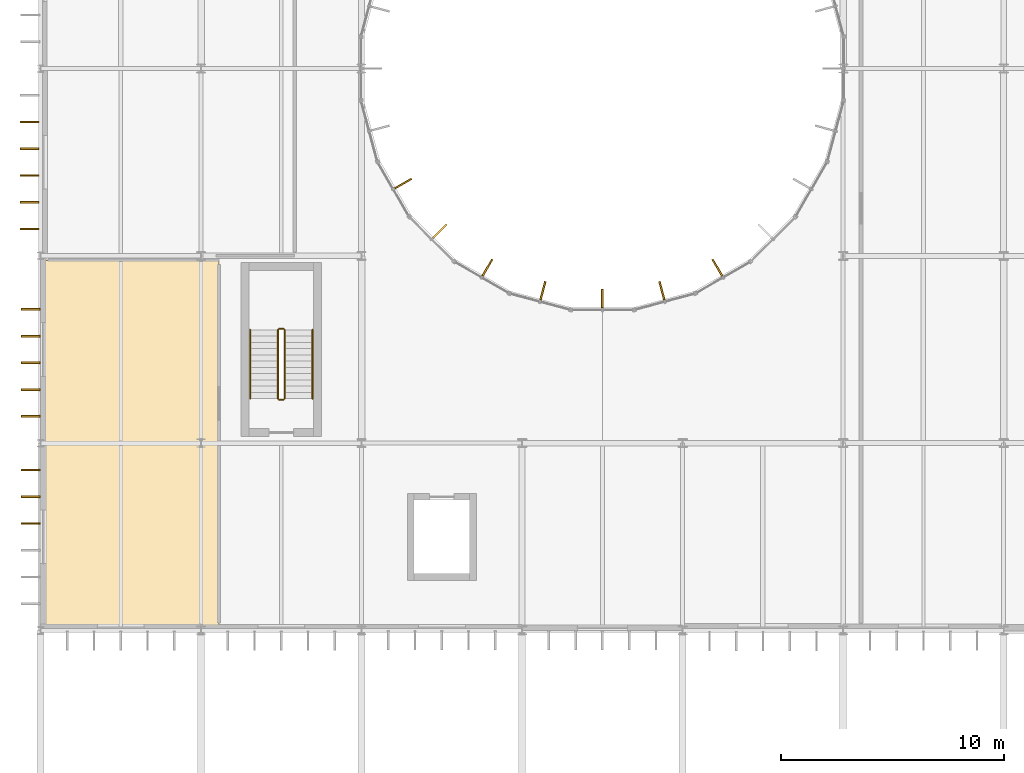
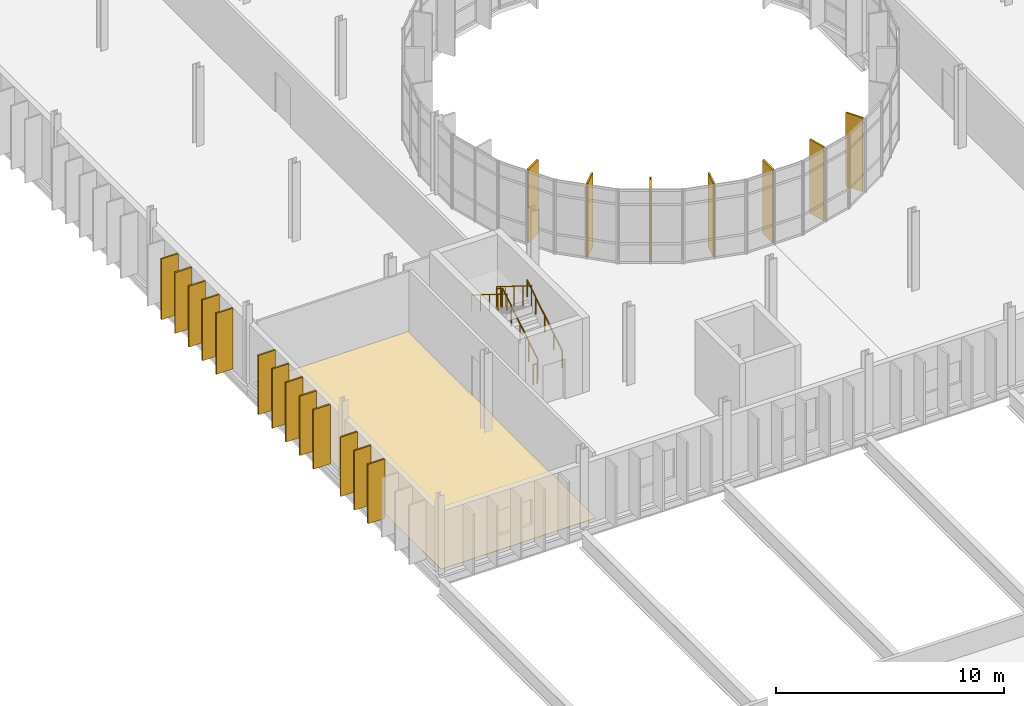
# One storey, part 109 of 119: 20 shading devices, 6 railings, 1 covering.
"""IFC4 building model written with IfcOpenShell, lengths in metres."""

from ifc_helpers import new_model, si_unit, direction, frame, origin, origin_2d, place, context, subcontext, project, spatial, polyline, rectangle, circle, outline, extrude, material, layer, layer_set, type_object, element, save


model = new_model("IFC4")

# Units and contexts
model_context = context("Model", 3, precision=1e-05, world=origin(), true_north=direction((0.0, 1.0)))
body_context = subcontext(model_context, "Body", "Model", "MODEL_VIEW")
ifc_project = project(units=[si_unit("LENGTHUNIT", "METRE"), si_unit("AREAUNIT", "SQUARE_METRE"), si_unit("VOLUMEUNIT", "CUBIC_METRE"), si_unit("PLANEANGLEUNIT", "RADIAN"), si_unit("MASSUNIT", "GRAM", prefix="KILO")], contexts=[model_context])

# Site, building, storey
site_placement = place(None, origin())
site = spatial("IfcSite", under=ifc_project, at=site_placement, CompositionType="ELEMENT")
building_placement = place(site_placement, origin())
building = spatial("IfcBuilding", under=site, at=building_placement, Name="Qelthora Terrace Specialist Clinic", CompositionType="ELEMENT")
storey_placement = place(building_placement, frame((0.0, 0.0, 4.800048828125)))
storey = spatial("IfcBuildingStorey", under=building, at=storey_placement, Name="L01", CompositionType="ELEMENT", Elevation=4.800048828125)

# Covering
ifc_material_1 = material(Name="Antimicrobial clinical linoleum flooring", Category="other")
ifc_layer = layer(ifc_material_1, 0.011962890625)
ifc_layer_set = layer_set([ifc_layer], Name="Antimicrobial clinical linoleum flooring")
covering_type = type_object("IfcCoveringType", Name="COV-FLR-LINO-12", PredefinedType="FLOORING", material=ifc_layer_set)
covering_placement = place(storey_placement, origin())
element("IfcCovering", 1, at=covering_placement, inside=storey, type_object=covering_type, Name="Day Surgery Pre-Op Preparation L01-50 resilient linoleum flooring", PredefinedType="FLOORING", context=body_context, shape_type="SweptSolid", body=[
    extrude(outline(polyline([(0.14990234375, 58.949951171875), (0.14990234375, 75.39990234375), (8.0, 75.39990234375), (8.0, 58.949951171875), (0.14990234375, 58.949951171875)])), origin(), (0.0, 0.0, 1.0), 0.011962890625),
])

# Railings
ifc_material_2 = material(Name="Steel S355", Category="steel")
railing_type_1 = type_object("IfcRailingType", Name="RAL-GD-1100-S355", PredefinedType="GUARDRAIL", material=ifc_material_2)
railing_1_placement = place(storey_placement, frame((10.949951171875, 69.199951171875, 0.175048828125)))
element("IfcRailing", 2, at=railing_1_placement, inside=storey, type_object=railing_type_1, Name="L01 ST-01 stair guard 1", PredefinedType="GUARDRAIL", context=body_context, shape_type="SweptSolid", body=[
    extrude(circle(Radius=0.02392578125, at=origin_2d()), frame((0.0, 0.0, 1.076171875), z_axis=(0.0, 0.848028513186, 0.529950602248), x_axis=(-1.0, 0.0, 0.0)), (0.0, 0.0, 1.0), 3.632080078125),
    extrude(circle(Radius=0.02099609375, at=origin_2d()), origin(), (0.0, 0.0, 1.0), 1.052001953125),
    extrude(circle(Radius=0.02099609375, at=origin_2d()), frame((0.0, 0.77001953125, 0.481201171875)), (0.0, 0.0, 1.0), 1.052001953125),
    extrude(circle(Radius=0.02099609375, at=origin_2d()), frame((0.0, 1.5400390625, 0.96240234375)), (0.0, 0.0, 1.0), 1.052001953125),
    extrude(circle(Radius=0.02099609375, at=origin_2d()), frame((0.0, 2.31005859375, 1.443603515625)), (0.0, 0.0, 1.0), 1.052001953125),
    extrude(circle(Radius=0.02099609375, at=origin_2d()), frame((0.0, 3.080078125, 1.9248046875)), (0.0, 0.0, 1.0), 1.052001953125),
])
railing_2_placement = place(storey_placement, frame((10.89990234375, 72.330078125, 2.099853515625)))
element("IfcRailing", 3, at=railing_2_placement, inside=storey, type_object=railing_type_1, Name="L01 ST-01 stair guard 2", PredefinedType="GUARDRAIL", context=body_context, shape_type="SweptSolid", body=[
    extrude(circle(Radius=0.02392578125, at=origin_2d()), frame((0.0, 0.0, 1.076171875), z_axis=(-1.0, 0.0, 0.0), x_axis=(0.0, -1.0, 0.0)), (0.0, 0.0, 1.0), 0.199951171875),
    extrude(circle(Radius=0.02099609375, at=origin_2d()), origin(), (0.0, 0.0, 1.0), 1.052001953125),
    extrude(circle(Radius=0.02099609375, at=origin_2d()), frame((-0.199951171875, 0.0, 0.0)), (0.0, 0.0, 1.0), 1.052001953125),
])
railing_3_placement = place(storey_placement, frame((10.64990234375, 72.280029296875, 2.27490234375)))
element("IfcRailing", 4, at=railing_3_placement, inside=storey, type_object=railing_type_1, Name="L01 ST-01 stair guard 3", PredefinedType="GUARDRAIL", context=body_context, shape_type="SweptSolid", body=[
    extrude(circle(Radius=0.02392578125, at=origin_2d()), frame((0.0, 0.0, 1.076171875), z_axis=(0.0, -0.847998304005, 0.529998940003), x_axis=(1.0, 0.0, 0.0)), (0.0, 0.0, 1.0), 3.632080078125),
    extrude(circle(Radius=0.02099609375, at=origin_2d()), origin(), (0.0, 0.0, 1.0), 1.052001953125),
    extrude(circle(Radius=0.02099609375, at=origin_2d()), frame((0.0, -0.77001953125, 0.481201171875)), (0.0, 0.0, 1.0), 1.052001953125),
    extrude(circle(Radius=0.02099609375, at=origin_2d()), frame((0.0, -1.5400390625, 0.96240234375)), (0.0, 0.0, 1.0), 1.052001953125),
    extrude(circle(Radius=0.02099609375, at=origin_2d()), frame((0.0, -2.31005859375, 1.44384765625)), (0.0, 0.0, 1.0), 1.052001953125),
    extrude(circle(Radius=0.02099609375, at=origin_2d()), frame((0.0, -3.080078125, 1.925048828125)), (0.0, 0.0, 1.0), 1.052001953125),
])
railing_4_placement = place(storey_placement, frame((10.89990234375, 69.14990234375, 0.0)))
element("IfcRailing", 5, at=railing_4_placement, inside=storey, type_object=railing_type_1, Name="L01 ST-01 stair guard 4", PredefinedType="GUARDRAIL", context=body_context, shape_type="SweptSolid", body=[
    extrude(circle(Radius=0.02392578125, at=origin_2d()), frame((0.0, 0.0, 1.076171875), z_axis=(-1.0, 0.0, 0.0), x_axis=(0.0, -1.0, 0.0)), (0.0, 0.0, 1.0), 0.199951171875),
    extrude(circle(Radius=0.02099609375, at=origin_2d()), origin(), (0.0, 0.0, 1.0), 1.052001953125),
    extrude(circle(Radius=0.02099609375, at=origin_2d()), frame((-0.199951171875, 0.0, 0.0)), (0.0, 0.0, 1.0), 1.052001953125),
])
railing_type_2 = type_object("IfcRailingType", Name="RAL-HR-900-S355", PredefinedType="HANDRAIL", material=ifc_material_2)
railing_5_placement = place(storey_placement, frame((12.199951171875, 69.199951171875, 0.367919921875)))
element("IfcRailing", 6, at=railing_5_placement, inside=storey, type_object=railing_type_2, Name="L01 ST-01 stair handrail 1", PredefinedType="HANDRAIL", context=body_context, shape_type="SweptSolid", body=[
    extrude(circle(Radius=0.02392578125, at=origin_2d()), frame((0.0, 0.0, 0.8759765625), z_axis=(0.0, 0.847998304005, 0.529998940003), x_axis=(-1.0, 0.0, 0.0)), (0.0, 0.0, 1.0), 3.632080078125),
    extrude(circle(Radius=0.02099609375, at=origin_2d()), origin(), (0.0, 0.0, 1.0), 0.851806640625),
    extrude(circle(Radius=0.02099609375, at=origin_2d()), frame((0.0, 0.77001953125, 0.481201171875)), (0.0, 0.0, 1.0), 0.851806640625),
    extrude(circle(Radius=0.02099609375, at=origin_2d()), frame((0.0, 1.5400390625, 0.96240234375)), (0.0, 0.0, 1.0), 0.851806640625),
    extrude(circle(Radius=0.02099609375, at=origin_2d()), frame((0.0, 2.31005859375, 1.44384765625)), (0.0, 0.0, 1.0), 0.851806640625),
    extrude(circle(Radius=0.02099609375, at=origin_2d()), frame((0.0, 3.080078125, 1.925048828125)), (0.0, 0.0, 1.0), 0.851806640625),
])
railing_6_placement = place(storey_placement, frame((9.39990234375, 72.280029296875, 2.468017578125)))
element("IfcRailing", 7, at=railing_6_placement, inside=storey, type_object=railing_type_2, Name="L01 ST-01 stair handrail 2", PredefinedType="HANDRAIL", context=body_context, shape_type="SweptSolid", body=[
    extrude(circle(Radius=0.02392578125, at=origin_2d()), frame((0.0, 0.0, 0.8759765625), z_axis=(0.0, -0.847998304005, 0.529998940003), x_axis=(1.0, 0.0, 0.0)), (0.0, 0.0, 1.0), 3.632080078125),
    extrude(circle(Radius=0.02099609375, at=origin_2d()), origin(), (0.0, 0.0, 1.0), 0.851806640625),
    extrude(circle(Radius=0.02099609375, at=origin_2d()), frame((0.0, -0.77001953125, 0.481201171875)), (0.0, 0.0, 1.0), 0.851806640625),
    extrude(circle(Radius=0.02099609375, at=origin_2d()), frame((0.0, -1.5400390625, 0.96240234375)), (0.0, 0.0, 1.0), 0.851806640625),
    extrude(circle(Radius=0.02099609375, at=origin_2d()), frame((0.0, -2.31005859375, 1.44384765625)), (0.0, 0.0, 1.0), 0.851806640625),
    extrude(circle(Radius=0.02099609375, at=origin_2d()), frame((0.0, -3.080078125, 1.925048828125)), (0.0, 0.0, 1.0), 0.851806640625),
])

# Shading devices
ifc_material_3 = material(Name="Glulam timber GL28h", Category="wood")
shading_device_type = type_object("IfcShadingDeviceType", Name="SHD-FIN-850", PredefinedType="USERDEFINED", material=ifc_material_3)
for number, where, z_axis, x_axis, name in (
    (8, (16.26904296875, 78.84375, 0.0), (0.0, 0.0, 1.0), (0.866025403784, 0.5, 0.0), "Court solar fin FIN-0118"),
    (9, (17.907958984375, 76.707763671875, 0.0), (0.0, 0.0, 1.0), (0.707106781187, 0.707106781187, 0.0), "Court solar fin FIN-0119"),
    (10, (20.043701171875, 75.069091796875, 0.0), (0.0, 0.0, 1.0), (0.5, 0.866025403784, 0.0), "Court solar fin FIN-0120"),
    (11, (22.531005859375, 74.038818359375, 0.0), (0.0, 0.0, 1.0), (0.258819045103, 0.965925826289, 0.0), "Court solar fin FIN-0121"),
    (12, (25.199951171875, 73.6875, 0.0), (0.0, 0.0, 1.0), (0.0, 1.0, 0.0), "Court solar fin FIN-0122"),
    (13, (27.869140625, 74.038818359375, 0.0), (0.0, 0.0, 1.0), (-0.258819045103, 0.965925826289, 0.0), "Court solar fin FIN-0123"),
    (14, (30.356201171875, 75.069091796875, 0.0), (0.0, 0.0, 1.0), (-0.5, 0.866025403784, 0.0), "Court solar fin FIN-0124"),
):
    element("IfcShadingDevice", number, at=place(storey_placement, frame(where, z_axis=z_axis, x_axis=x_axis)), inside=storey, type_object=shading_device_type, Name=name, ObjectType="FIN", PredefinedType="USERDEFINED", context=body_context, shape_type="SweptSolid", body=[
        extrude(rectangle(XDim=0.85009765625, YDim=0.080078125, at=origin_2d()), origin(), (0.0, 0.0, 1.0), 3.945068359375),
    ])
for number, where, z_axis, x_axis, name in (
    (15, (-0.445068359375, 63.60009765625, 0.0), (0.0, 0.0, 1.0), (-1.0, 0.0, 0.0), "Exterior solar shading fin FIN-0672"),
    (16, (-0.445068359375, 64.800048828125, 0.0), (0.0, 0.0, 1.0), (-1.0, 0.0, 0.0), "Exterior solar shading fin FIN-0673"),
    (17, (-0.445068359375, 66.0, 0.0), (0.0, 0.0, 1.0), (-1.0, 0.0, 0.0), "Exterior solar shading fin FIN-0674"),
    (18, (-0.43505859375, 68.39990234375, 0.0), (0.0, 0.0, 1.0), (-1.0, 0.0, 0.0), "Exterior solar shading fin FIN-0675"),
    (19, (-0.43505859375, 69.60009765625, 0.0), (0.0, 0.0, 1.0), (-1.0, 0.0, 0.0), "Exterior solar shading fin FIN-0676"),
    (20, (-0.43505859375, 70.800048828125, 0.0), (0.0, 0.0, 1.0), (-1.0, 0.0, 0.0), "Exterior solar shading fin FIN-0677"),
    (21, (-0.43505859375, 72.0, 0.0), (0.0, 0.0, 1.0), (-1.0, 0.0, 0.0), "Exterior solar shading fin FIN-0678"),
    (22, (-0.43505859375, 73.199951171875, 0.0), (0.0, 0.0, 1.0), (-1.0, 0.0, 0.0), "Exterior solar shading fin FIN-0679"),
):
    element("IfcShadingDevice", number, at=place(storey_placement, frame(where, z_axis=z_axis, x_axis=x_axis)), inside=storey, type_object=shading_device_type, Name=name, ObjectType="FIN", PredefinedType="USERDEFINED", context=body_context, shape_type="SweptSolid", body=[
        extrude(rectangle(XDim=0.85009765625, YDim=0.080078125, at=origin_2d()), origin(), (0.0, 0.0, 1.0), 3.172119140625),
    ])
for number, where, z_axis, x_axis, name in (
    (23, (-0.4951171875, 76.800048828125, 0.0), (0.0, 0.0, 1.0), (-1.0, 0.0, 0.0), "Exterior solar shading fin FIN-0680"),
    (24, (-0.4951171875, 78.0, 0.0), (0.0, 0.0, 1.0), (-1.0, 0.0, 0.0), "Exterior solar shading fin FIN-0681"),
    (25, (-0.4951171875, 79.199951171875, 0.0), (0.0, 0.0, 1.0), (-1.0, 0.0, 0.0), "Exterior solar shading fin FIN-0682"),
    (26, (-0.4951171875, 80.39990234375, 0.0), (0.0, 0.0, 1.0), (-1.0, 0.0, 0.0), "Exterior solar shading fin FIN-0683"),
    (27, (-0.4951171875, 81.60009765625, 0.0), (0.0, 0.0, 1.0), (-1.0, 0.0, 0.0), "Exterior solar shading fin FIN-0684"),
):
    element("IfcShadingDevice", number, at=place(storey_placement, frame(where, z_axis=z_axis, x_axis=x_axis)), inside=storey, type_object=shading_device_type, Name=name, ObjectType="FIN", PredefinedType="USERDEFINED", context=body_context, shape_type="SweptSolid", body=[
        extrude(rectangle(XDim=0.85009765625, YDim=0.080078125, at=origin_2d()), origin(), (0.0, 0.0, 1.0), 3.2490234375),
    ])

save(model, "model.ifc")
